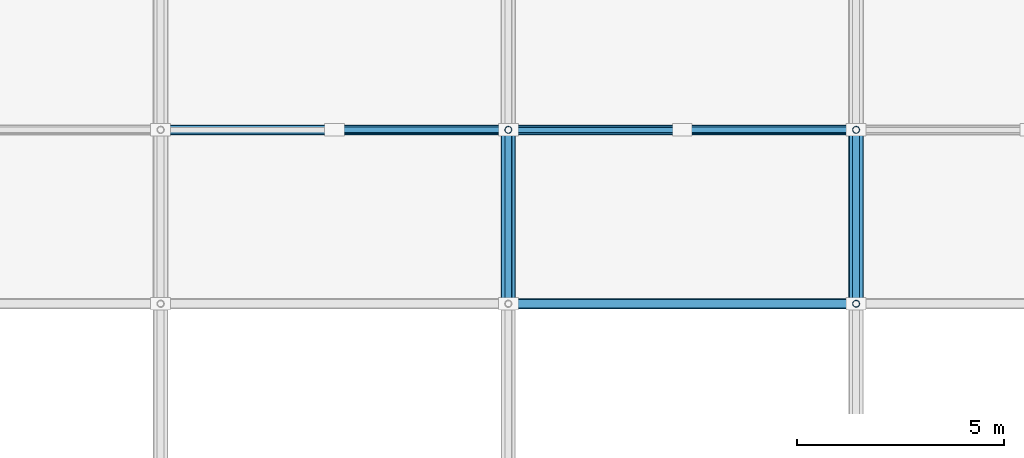
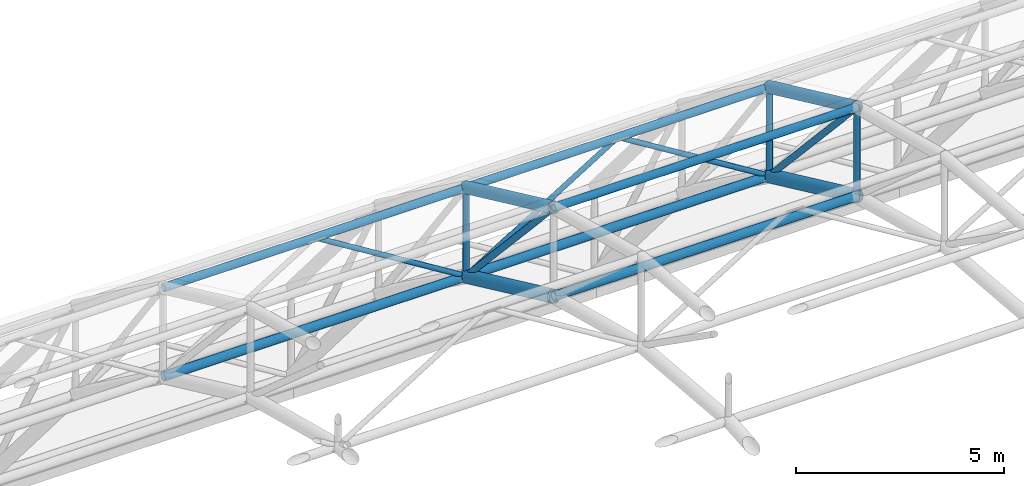
# One storey, part 45 of 103: 14 members, 4 beams.
"""IFC4 building model written with IfcOpenShell, lengths in metres."""

from ifc_helpers import new_model, si_unit, direction, frame, origin, origin_2d, place, context, subcontext, project, spatial, hollow_circle, extrude, material, material_profile, profile_set, type_object, element, save


model = new_model("IFC4")

# Units and contexts
model_context = context("Model", 3, precision=1e-05, world=origin(), true_north=direction((0.0, 1.0)))
body_context = subcontext(model_context, "Body", "Model", "MODEL_VIEW")
ifc_project = project(units=[si_unit("LENGTHUNIT", "METRE"), si_unit("AREAUNIT", "SQUARE_METRE"), si_unit("VOLUMEUNIT", "CUBIC_METRE"), si_unit("PLANEANGLEUNIT", "RADIAN"), si_unit("MASSUNIT", "GRAM", prefix="KILO")], contexts=[model_context])

# Site, building, storey
site_placement = place(None, origin())
site = spatial("IfcSite", under=ifc_project, at=site_placement, CompositionType="ELEMENT")
building_placement = place(site_placement, origin())
building = spatial("IfcBuilding", under=site, at=building_placement, Name="Varnapada Polytechnic", CompositionType="ELEMENT")
storey_placement = place(building_placement, frame((0.0, 0.0, 18.0)))
storey = spatial("IfcBuildingStorey", under=building, at=storey_placement, Name="L04", CompositionType="ELEMENT", Elevation=18.0)

# Members
ifc_material = material(Name="Steel S355", Category="steel")
ifc_material_profile_1 = material_profile(ifc_material, hollow_circle(Radius=0.122314453125, WallThickness=0.008056640625, at=origin_2d()), Name="CHS 244.5x8.0")
ifc_profile_set_1 = profile_set([ifc_material_profile_1], Name="Steel S355")
member_type_1 = type_object("IfcMemberType", Name="Vaulted space frame longitudinal bottom chord SFC-01 (CHS 244.5x8.0)", PredefinedType="CHORD", material=ifc_profile_set_1)
member_1_placement = place(storey_placement, frame((92.39990234375, 117.60009765625, 8.02783203125), z_axis=(1.0, 0.0, 0.0), x_axis=(0.0, 1.0, 0.0)))
element("IfcMember", 1, at=member_1_placement, inside=storey, type_object=member_type_1, Name="Vaulted space frame longitudinal bottom chord 6.9", PredefinedType="CHORD", context=body_context, shape_type="SweptSolid", body=[
    extrude(hollow_circle(Radius=0.122314453125, WallThickness=0.008056640625, at=origin_2d()), origin(), (0.0, 0.0, 1.0), 8.400146484375),
])
for number, where, z_axis, x_axis, name in (
    (2, (100.800048828125, 113.39990234375, 9.98193359375), (1.0, 0.0, 0.0), (0.0, 1.0, 0.0), "Vaulted space frame longitudinal bottom chord 7.8"),
    (3, (100.800048828125, 117.60009765625, 8.02783203125), (1.0, 0.0, 0.0), (0.0, 1.0, 0.0), "Vaulted space frame longitudinal bottom chord 7.9"),
):
    element("IfcMember", number, at=place(storey_placement, frame(where, z_axis=z_axis, x_axis=x_axis)), inside=storey, type_object=member_type_1, Name=name, PredefinedType="CHORD", context=body_context, shape_type="SweptSolid", body=[
        extrude(hollow_circle(Radius=0.122314453125, WallThickness=0.008056640625, at=origin_2d()), origin(), (0.0, 0.0, 1.0), 8.39990234375),
    ])
ifc_material_profile_2 = material_profile(ifc_material, hollow_circle(Radius=0.109619140625, WallThickness=0.008056640625, at=origin_2d()), Name="CHS 219.1x8.0")
ifc_profile_set_2 = profile_set([ifc_material_profile_2], Name="Steel S355")
member_type_2 = type_object("IfcMemberType", Name="Vaulted space frame longitudinal top chord SFC-02 (CHS 219.1x8.0)", PredefinedType="CHORD", material=ifc_profile_set_2)
member_2_placement = place(storey_placement, frame((92.39990234375, 117.60009765625, 10.6279296875), z_axis=(1.0, 0.0, 0.0), x_axis=(0.0, 1.0, 0.0)))
element("IfcMember", 4, at=member_2_placement, inside=storey, type_object=member_type_2, Name="Vaulted space frame longitudinal top chord 6.9", PredefinedType="CHORD", context=body_context, shape_type="SweptSolid", body=[
    extrude(hollow_circle(Radius=0.109619140625, WallThickness=0.008056640625, at=origin_2d()), origin(), (0.0, 0.0, 1.0), 8.400146484375),
])
for number, where, z_axis, x_axis, name in (
    (5, (100.800048828125, 113.39990234375, 12.581787109375), (1.0, 0.0, 0.0), (0.0, 1.0, 0.0), "Vaulted space frame longitudinal top chord 7.8"),
    (6, (100.800048828125, 117.60009765625, 10.6279296875), (1.0, 0.0, 0.0), (0.0, 1.0, 0.0), "Vaulted space frame longitudinal top chord 7.9"),
):
    element("IfcMember", number, at=place(storey_placement, frame(where, z_axis=z_axis, x_axis=x_axis)), inside=storey, type_object=member_type_2, Name=name, PredefinedType="CHORD", context=body_context, shape_type="SweptSolid", body=[
        extrude(hollow_circle(Radius=0.109619140625, WallThickness=0.008056640625, at=origin_2d()), origin(), (0.0, 0.0, 1.0), 8.39990234375),
    ])

# Beams
ifc_material_profile_3 = material_profile(ifc_material, hollow_circle(Radius=0.177734375, WallThickness=0.012451171875, at=origin_2d()), Name="CHS 355.6x12.5")
ifc_profile_set_3 = profile_set([ifc_material_profile_3], Name="Steel S355")
beam_type_1 = type_object("IfcBeamType", Name="Vaulted space frame primary arch rib VA-01 (CHS 355.6x12.5)", PredefinedType="BEAM", material=ifc_profile_set_3)
for number, where, z_axis, x_axis, name in (
    (7, (100.800048828125, 113.39990234375, 9.98193359375), (0.0, 0.906677989805, -0.421823449802), (-1.0, 0.0, 0.0), "Vaulted space frame bottom arch chord 7.8"),
    (8, (109.199951171875, 113.39990234375, 9.98193359375), (0.0, 0.906677989805, -0.421823449802), (-1.0, 0.0, 0.0), "Vaulted space frame bottom arch chord 8.8"),
):
    element("IfcBeam", number, at=place(storey_placement, frame(where, z_axis=z_axis, x_axis=x_axis)), inside=storey, type_object=beam_type_1, Name=name, PredefinedType="BEAM", context=body_context, shape_type="SweptSolid", body=[
        extrude(hollow_circle(Radius=0.177734375, WallThickness=0.012451171875, at=origin_2d()), origin(), (0.0, 0.0, 1.0), 4.632568359375),
    ])

# Members
ifc_material_profile_4 = material_profile(ifc_material, hollow_circle(Radius=0.084228515625, WallThickness=0.00634765625, at=origin_2d()), Name="CHS 168.3x6.3")
ifc_profile_set_4 = profile_set([ifc_material_profile_4], Name="Steel S355")
member_type_3 = type_object("IfcMemberType", Name="Vaulted space frame primary web diagonal SFB-01 (CHS 168.3x6.3)", PredefinedType="BRACE", material=ifc_profile_set_4)
for number, where, z_axis, x_axis, name in (
    (9, (100.800048828125, 113.39990234375, 12.581787109375), (0.0, 0.677978881407, -0.735081380777), (-1.0, 0.0, 0.0), "Vaulted space frame web diagonal 7.8"),
    (10, (109.199951171875, 113.39990234375, 12.581787109375), (0.0, 0.677978881407, -0.735081380777), (-1.0, 0.0, 0.0), "Vaulted space frame web diagonal 8.8"),
):
    element("IfcMember", number, at=place(storey_placement, frame(where, z_axis=z_axis, x_axis=x_axis)), inside=storey, type_object=member_type_3, Name=name, PredefinedType="BRACE", context=body_context, shape_type="SweptSolid", body=[
        extrude(hollow_circle(Radius=0.084228515625, WallThickness=0.00634765625, at=origin_2d()), origin(), (0.0, 0.0, 1.0), 6.195068359375),
    ])
ifc_material_profile_5 = material_profile(ifc_material, hollow_circle(Radius=0.084228515625, WallThickness=0.00634765625, at=origin_2d()), Name="CHS 168.3x6.3")
ifc_profile_set_5 = profile_set([ifc_material_profile_5], Name="Steel S355")
member_type_4 = type_object("IfcMemberType", Name="Vaulted space frame radial web strut SFS-01 (CHS 168.3x6.3)", PredefinedType="STRUT", material=ifc_profile_set_5)
member_3_placement = place(storey_placement, frame((100.800048828125, 117.60009765625, 8.02783203125), z_axis=(0.0, 0.0, 1.0), x_axis=(1.0, 0.0, 0.0)))
element("IfcMember", 11, at=member_3_placement, inside=storey, type_object=member_type_4, Name="Vaulted space frame strut 7.9", PredefinedType="STRUT", context=body_context, shape_type="SweptSolid", body=[
    extrude(hollow_circle(Radius=0.084228515625, WallThickness=0.00634765625, at=origin_2d()), origin(), (0.0, 0.0, 1.0), 2.60009765625),
])
member_4_placement = place(storey_placement, frame((109.199951171875, 113.39990234375, 9.98193359375), z_axis=(0.0, 0.0, 1.0), x_axis=(1.0, 0.0, 0.0)))
element("IfcMember", 12, at=member_4_placement, inside=storey, type_object=member_type_4, Name="Vaulted space frame strut 8.8", PredefinedType="STRUT", context=body_context, shape_type="SweptSolid", body=[
    extrude(hollow_circle(Radius=0.084228515625, WallThickness=0.00634765625, at=origin_2d()), origin(), (0.0, 0.0, 1.0), 2.599853515625),
])
member_5_placement = place(storey_placement, frame((109.199951171875, 117.60009765625, 8.02783203125), z_axis=(0.0, 0.0, 1.0), x_axis=(1.0, 0.0, 0.0)))
element("IfcMember", 13, at=member_5_placement, inside=storey, type_object=member_type_4, Name="Vaulted space frame strut 8.9", PredefinedType="STRUT", context=body_context, shape_type="SweptSolid", body=[
    extrude(hollow_circle(Radius=0.084228515625, WallThickness=0.00634765625, at=origin_2d()), origin(), (0.0, 0.0, 1.0), 2.60009765625),
])
ifc_material_profile_6 = material_profile(ifc_material, hollow_circle(Radius=0.06982421875, WallThickness=0.0048828125, at=origin_2d()), Name="CHS 139.7x5.0")
ifc_profile_set_6 = profile_set([ifc_material_profile_6], Name="Steel S355")
member_type_5 = type_object("IfcMemberType", Name="Vaulted space frame secondary web diagonal SFB-02 (CHS 139.7x5.0)", PredefinedType="BRACE", material=ifc_profile_set_6)
for number, where, z_axis, x_axis, name in (
    (14, (100.800048828125, 117.60009765625, 8.02783203125), (-0.85025356003, 0.0, 0.526373331065), (0.0, -1.0, 0.0), "Vaulted space frame longitudinal brace 6.9B"),
    (15, (100.800048828125, 117.60009765625, 8.02783203125), (0.85025356003, 0.0, 0.526373331065), (0.0, 1.0, 0.0), "Vaulted space frame longitudinal brace 7.9A"),
    (16, (109.199951171875, 117.60009765625, 8.02783203125), (-0.85025356003, 0.0, 0.526373331065), (0.0, -1.0, 0.0), "Vaulted space frame longitudinal brace 7.9B"),
):
    element("IfcMember", number, at=place(storey_placement, frame(where, z_axis=z_axis, x_axis=x_axis)), inside=storey, type_object=member_type_5, Name=name, PredefinedType="BRACE", context=body_context, shape_type="SweptSolid", body=[
        extrude(hollow_circle(Radius=0.06982421875, WallThickness=0.0048828125, at=origin_2d()), origin(), (0.0, 0.0, 1.0), 4.939697265625),
    ])

# Beams
ifc_material_profile_7 = material_profile(ifc_material, hollow_circle(Radius=0.161865234375, WallThickness=0.010009765625, at=origin_2d()), Name="CHS 323.9x10.0")
ifc_profile_set_7 = profile_set([ifc_material_profile_7], Name="Steel S355")
beam_type_2 = type_object("IfcBeamType", Name="Vaulted space frame upper arch rib VA-02 (CHS 323.9x10.0)", PredefinedType="BEAM", material=ifc_profile_set_7)
for number, where, z_axis, x_axis, name in (
    (17, (100.800048828125, 113.39990234375, 12.581787109375), (0.0, 0.906698145361, -0.421780124234), (-1.0, 0.0, 0.0), "Vaulted space frame top arch chord 7.8"),
    (18, (109.199951171875, 113.39990234375, 12.581787109375), (0.0, 0.906698145361, -0.421780124234), (-1.0, 0.0, 0.0), "Vaulted space frame top arch chord 8.8"),
):
    element("IfcBeam", number, at=place(storey_placement, frame(where, z_axis=z_axis, x_axis=x_axis)), inside=storey, type_object=beam_type_2, Name=name, PredefinedType="BEAM", context=body_context, shape_type="SweptSolid", body=[
        extrude(hollow_circle(Radius=0.161865234375, WallThickness=0.010009765625, at=origin_2d()), origin(), (0.0, 0.0, 1.0), 4.63232421875),
    ])

save(model, "model.ifc")
